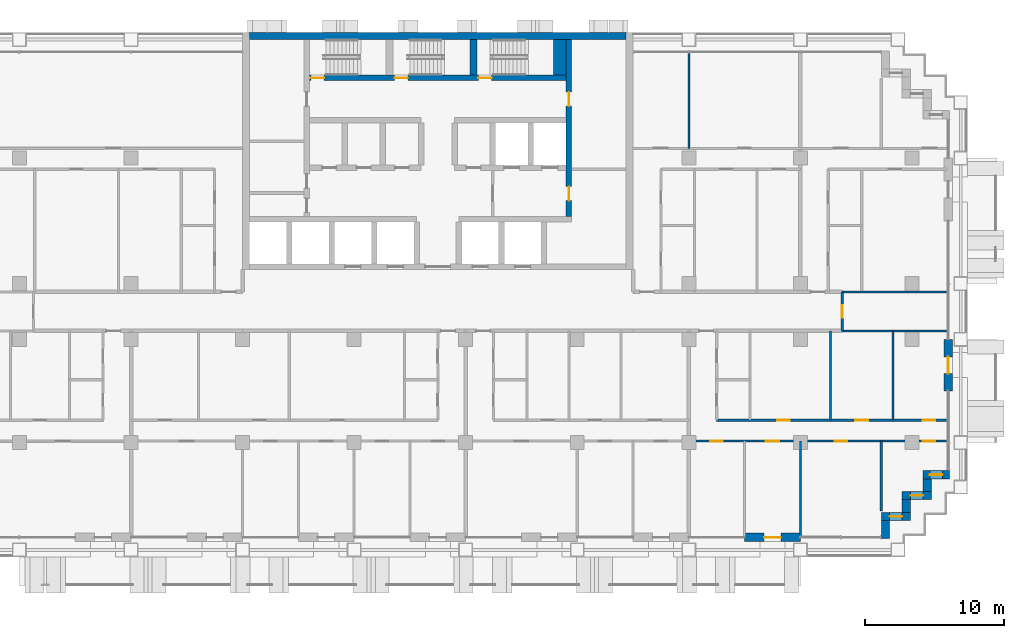
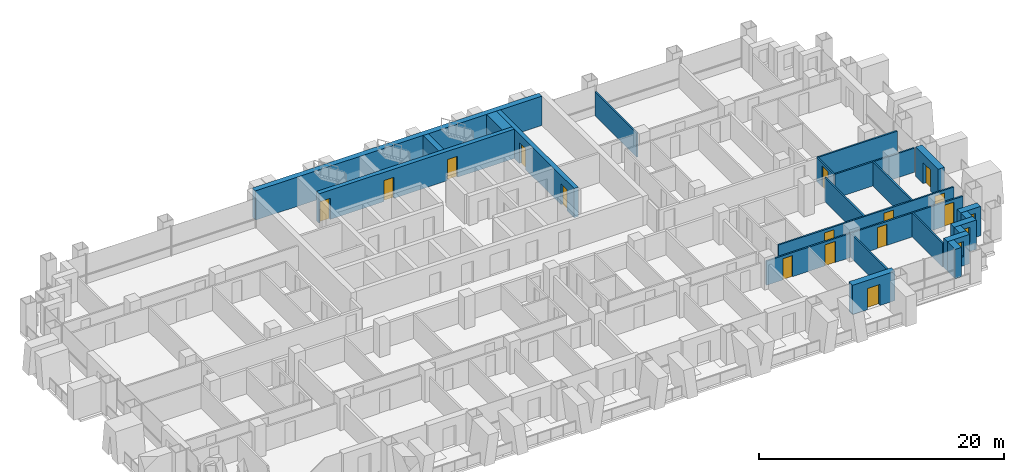
# One storey, part 13 of 18: 23 walls, 15 doors, 3 windows, 18 openings.
"""IFC4 building model written with IfcOpenShell, lengths in metres."""

from ifc_helpers import new_model, si_unit, direction, frame, frame_2d, origin, place, context, subcontext, project, spatial, rectangle, extrude, material, layer, layer_set, type_object, element, fill, save


model = new_model("IFC4")

# Units and contexts
model_context = context("Model", 3, precision=1e-05, world=origin(), true_north=direction((0.0, 1.0)))
body_context = subcontext(model_context, "Body", "Model", "MODEL_VIEW")
ifc_project = project(units=[si_unit("LENGTHUNIT", "METRE"), si_unit("AREAUNIT", "SQUARE_METRE"), si_unit("VOLUMEUNIT", "CUBIC_METRE"), si_unit("PLANEANGLEUNIT", "RADIAN"), si_unit("MASSUNIT", "GRAM", prefix="KILO")], contexts=[model_context])

# Site, building, storey
site_placement = place(None, origin())
site = spatial("IfcSite", under=ifc_project, at=site_placement, CompositionType="ELEMENT")
building_placement = place(site_placement, origin())
building = spatial("IfcBuilding", under=site, at=building_placement, Name="Vidyagriha Tower", CompositionType="ELEMENT")
storey_placement = place(building_placement, frame((0.0, 0.0, 44.800048828125)))
storey = spatial("IfcBuildingStorey", under=building, at=storey_placement, Name="L11", CompositionType="ELEMENT", Elevation=44.800048828125)

# Wall, opening, door
ifc_material_1 = material(Name="Precast concrete C40/50 with brick facing", Category="concrete")
ifc_layer_1 = layer(ifc_material_1, 0.60009765625)
ifc_layer_set_1 = layer_set([ifc_layer_1], Name="Precast concrete C40/50 with brick facing")
wall_type_1 = type_object("IfcWallType", Name="Brick-faced precast wall 600", PredefinedType="STANDARD", material=ifc_layer_set_1)
wall_1_placement = place(storey_placement, frame((22.0, -16.199951171875, 0.0)))
wall_1 = element("IfcWall", 1, at=wall_1_placement, inside=storey, type_object=wall_type_1, Name="Brick door bay wall L11 R23.15", PredefinedType="STANDARD", context=body_context, shape_type="SweptSolid", body=[
    extrude(rectangle(XDim=4.0, YDim=0.60009765625, at=frame_2d((2.0, 0.0))), origin(), (0.0, 0.0, 1.0), 2.919921875),
])
opening_1_placement = place(wall_1_placement, frame((1.39990234375, 0.0, 0.0)))
opening_1 = element("IfcOpeningElement", 2, at=opening_1_placement, cuts=wall_1, Name="Opening D11-83", PredefinedType="OPENING", context=body_context, shape_type="SweptSolid", body=[
    extrude(rectangle(XDim=1.199951171875, YDim=2.10009765625, at=frame_2d((0.60009765625, 1.050048828125))), frame((0.0, 0.31005859375, 0.0), z_axis=(0.0, -1.0, 0.0), x_axis=(1.0, 0.0, 0.0)), (0.0, 0.0, 1.0), 0.6201171875),
])
ifc_material_2 = material(Name="Aluminium framed glazed sliding door", Category="aluminium")
door_type_1 = type_object("IfcDoorType", Name="Balcony sliding door 1200x2100", OperationType="NOTDEFINED", PredefinedType="DOOR", material=ifc_material_2)
door_1_placement = place(opening_1_placement, origin())
door_1 = element("IfcDoor", 3, at=door_1_placement, inside=storey, type_object=door_type_1, Name="Door D11-83", OperationType="SLIDING_TO_LEFT", OverallHeight=2.10009765625, OverallWidth=1.199951171875, PredefinedType="DOOR", context=body_context, shape_type="SweptSolid", body=[
    extrude(rectangle(XDim=1.199951171875, YDim=2.10009765625, at=frame_2d((0.60009765625, 1.050048828125))), frame((0.0, 0.02490234375, 0.0), z_axis=(0.0, -1.0, 0.0), x_axis=(1.0, 0.0, 0.0)), (0.0, 0.0, 1.0), 0.050048828125),
])
fill(opening_1, door_1)

# Wall
wall_2_placement = place(storey_placement, frame((32.10009765625, -16.280029296875, 0.0), z_axis=(0.0, 0.0, 1.0), x_axis=(0.0, 1.0, 0.0)))
element("IfcWall", 4, at=wall_2_placement, inside=storey, type_object=wall_type_1, Name="Stepped corner wall L11 R24", PredefinedType="STANDARD", context=body_context, shape_type="SweptSolid", body=[
    extrude(rectangle(XDim=1.280029296875, YDim=0.60009765625, at=frame_2d((0.64013671875, 0.0))), origin(), (0.0, 0.0, 1.0), 2.919921875),
])

# Wall, opening, window
wall_3_placement = place(storey_placement, frame((31.800048828125, -14.699951171875, 0.0)))
wall_3 = element("IfcWall", 5, at=wall_3_placement, inside=storey, type_object=wall_type_1, Name="Stepped corner wall L11 R25", PredefinedType="STANDARD", context=body_context, shape_type="SweptSolid", body=[
    extrude(rectangle(XDim=2.099853515625, YDim=0.60009765625, at=frame_2d((1.0498046875, 0.0))), origin(), (0.0, 0.0, 1.0), 2.919921875),
])
opening_2_placement = place(wall_3_placement, frame((0.60009765625, 0.0, 0.89990234375)))
opening_2 = element("IfcOpeningElement", 6, at=opening_2_placement, cuts=wall_3, Name="Opening WN1", PredefinedType="OPENING", context=body_context, shape_type="SweptSolid", body=[
    extrude(rectangle(XDim=0.89990234375, YDim=1.5, at=frame_2d((0.449951171875, 0.75))), frame((0.0, 0.31005859375, 0.0), z_axis=(0.0, -1.0, 0.0), x_axis=(1.0, 0.0, 0.0)), (0.0, 0.0, 1.0), 0.6201171875),
])
ifc_material_3 = material(Name="Aluminium and glass window", Category="aluminium")
window_type = type_object("IfcWindowType", Name="Reveal window 900x1500", PartitioningType="NOTDEFINED", PredefinedType="WINDOW", material=ifc_material_3)
window_1_placement = place(opening_2_placement, origin())
window_1 = element("IfcWindow", 7, at=window_1_placement, inside=storey, type_object=window_type, Name="Reveal window L11 R25", OverallHeight=1.5, OverallWidth=0.89990234375, PartitioningType="SINGLE_PANEL", PredefinedType="WINDOW", context=body_context, shape_type="SweptSolid", body=[
    extrude(rectangle(XDim=0.89990234375, YDim=1.5, at=frame_2d((0.449951171875, 0.75))), frame((0.0, 0.030029296875, 0.0), z_axis=(0.0, -1.0, 0.0), x_axis=(1.0, 0.0, 0.0)), (0.0, 0.0, 1.0), 0.06005859375),
])
fill(opening_2, window_1)

# Wall
wall_4_placement = place(storey_placement, frame((33.60009765625, -14.39990234375, 0.0), z_axis=(0.0, 0.0, 1.0), x_axis=(0.0, 1.0, 0.0)))
element("IfcWall", 8, at=wall_4_placement, inside=storey, type_object=wall_type_1, Name="Stepped corner wall L11 R26", PredefinedType="STANDARD", context=body_context, shape_type="SweptSolid", body=[
    extrude(rectangle(XDim=0.89990234375, YDim=0.60009765625, at=frame_2d((0.449951171875, 0.0))), origin(), (0.0, 0.0, 1.0), 2.919921875),
])

# Wall, opening, window
wall_5_placement = place(storey_placement, frame((33.300048828125, -13.199951171875, 0.0)))
wall_5 = element("IfcWall", 9, at=wall_5_placement, inside=storey, type_object=wall_type_1, Name="Stepped corner wall L11 R27", PredefinedType="STANDARD", context=body_context, shape_type="SweptSolid", body=[
    extrude(rectangle(XDim=2.099853515625, YDim=0.60009765625, at=frame_2d((1.0498046875, 0.0))), origin(), (0.0, 0.0, 1.0), 2.919921875),
])
opening_3_placement = place(wall_5_placement, frame((0.60009765625, 0.0, 0.89990234375)))
opening_3 = element("IfcOpeningElement", 10, at=opening_3_placement, cuts=wall_5, Name="Opening WN1", PredefinedType="OPENING", context=body_context, shape_type="SweptSolid", body=[
    extrude(rectangle(XDim=0.89990234375, YDim=1.5, at=frame_2d((0.449951171875, 0.75))), frame((0.0, 0.31005859375, 0.0), z_axis=(0.0, -1.0, 0.0), x_axis=(1.0, 0.0, 0.0)), (0.0, 0.0, 1.0), 0.6201171875),
])
window_2_placement = place(opening_3_placement, origin())
window_2 = element("IfcWindow", 11, at=window_2_placement, inside=storey, type_object=window_type, Name="Reveal window L11 R27", OverallHeight=1.5, OverallWidth=0.89990234375, PartitioningType="SINGLE_PANEL", PredefinedType="WINDOW", context=body_context, shape_type="SweptSolid", body=[
    extrude(rectangle(XDim=0.89990234375, YDim=1.5, at=frame_2d((0.449951171875, 0.75))), frame((0.0, 0.030029296875, 0.0), z_axis=(0.0, -1.0, 0.0), x_axis=(1.0, 0.0, 0.0)), (0.0, 0.0, 1.0), 0.06005859375),
])
fill(opening_3, window_2)

# Wall
wall_6_placement = place(storey_placement, frame((35.10009765625, -12.89990234375, 0.0), z_axis=(0.0, 0.0, 1.0), x_axis=(0.0, 1.0, 0.0)))
element("IfcWall", 12, at=wall_6_placement, inside=storey, type_object=wall_type_1, Name="Stepped corner wall L11 R28", PredefinedType="STANDARD", context=body_context, shape_type="SweptSolid", body=[
    extrude(rectangle(XDim=0.89990234375, YDim=0.60009765625, at=frame_2d((0.449951171875, 0.0))), origin(), (0.0, 0.0, 1.0), 2.919921875),
])

# Wall, opening, window
wall_7_placement = place(storey_placement, frame((34.800048828125, -11.699951171875, 0.0)))
wall_7 = element("IfcWall", 13, at=wall_7_placement, inside=storey, type_object=wall_type_1, Name="Stepped corner wall L11 R29", PredefinedType="STANDARD", context=body_context, shape_type="SweptSolid", body=[
    extrude(rectangle(XDim=1.8798828125, YDim=0.60009765625, at=frame_2d((0.93994140625, 0.0))), origin(), (0.0, 0.0, 1.0), 2.919921875),
])
opening_4_placement = place(wall_7_placement, frame((0.489990234375, 0.0, 0.89990234375)))
opening_4 = element("IfcOpeningElement", 14, at=opening_4_placement, cuts=wall_7, Name="Opening WN1", PredefinedType="OPENING", context=body_context, shape_type="SweptSolid", body=[
    extrude(rectangle(XDim=0.89990234375, YDim=1.5, at=frame_2d((0.449951171875, 0.75))), frame((0.0, 0.31005859375, 0.0), z_axis=(0.0, -1.0, 0.0), x_axis=(1.0, 0.0, 0.0)), (0.0, 0.0, 1.0), 0.6201171875),
])
window_3_placement = place(opening_4_placement, origin())
window_3 = element("IfcWindow", 15, at=window_3_placement, inside=storey, type_object=window_type, Name="Reveal window L11 R29", OverallHeight=1.5, OverallWidth=0.89990234375, PartitioningType="SINGLE_PANEL", PredefinedType="WINDOW", context=body_context, shape_type="SweptSolid", body=[
    extrude(rectangle(XDim=0.89990234375, YDim=1.5, at=frame_2d((0.449951171875, 0.75))), frame((0.0, 0.030029296875, 0.0), z_axis=(0.0, -1.0, 0.0), x_axis=(1.0, 0.0, 0.0)), (0.0, 0.0, 1.0), 0.06005859375),
])
fill(opening_4, window_3)

# Wall, opening, door
wall_8_placement = place(storey_placement, frame((36.60009765625, -5.699951171875, 0.0), z_axis=(0.0, 0.0, 1.0), x_axis=(0.0, 1.0, 0.0)))
wall_8 = element("IfcWall", 16, at=wall_8_placement, inside=storey, type_object=wall_type_1, Name="Brick door bay wall L11 R30.3", PredefinedType="STANDARD", context=body_context, shape_type="SweptSolid", body=[
    extrude(rectangle(XDim=3.699951171875, YDim=0.60009765625, at=frame_2d((1.85009765625, 0.0))), origin(), (0.0, 0.0, 1.0), 2.919921875),
])
opening_5_placement = place(wall_8_placement, frame((1.25, 0.0, 0.0)))
opening_5 = element("IfcOpeningElement", 17, at=opening_5_placement, cuts=wall_8, Name="Opening D11-84", PredefinedType="OPENING", context=body_context, shape_type="SweptSolid", body=[
    extrude(rectangle(XDim=1.199951171875, YDim=2.10009765625, at=frame_2d((0.60009765625, 1.050048828125))), frame((0.0, 0.31005859375, 0.0), z_axis=(0.0, -1.0, 0.0), x_axis=(1.0, 0.0, 0.0)), (0.0, 0.0, 1.0), 0.6201171875),
])
door_2_placement = place(opening_5_placement, origin())
door_2 = element("IfcDoor", 18, at=door_2_placement, inside=storey, type_object=door_type_1, Name="Door D11-84", OperationType="SLIDING_TO_LEFT", OverallHeight=2.10009765625, OverallWidth=1.199951171875, PredefinedType="DOOR", context=body_context, shape_type="SweptSolid", body=[
    extrude(rectangle(XDim=1.199951171875, YDim=2.10009765625, at=frame_2d((0.60009765625, 1.050048828125))), frame((0.0, 0.02490234375, 0.0), z_axis=(0.0, -1.0, 0.0), x_axis=(1.0, 0.0, 0.0)), (0.0, 0.0, 1.0), 0.050048828125),
])
fill(opening_5, door_2)

# Wall, openings, doors
ifc_material_4 = material(Name="Concrete C60/75", Category="concrete")
ifc_layer_2 = layer(ifc_material_4, 0.39990234375)
ifc_layer_set_2 = layer_set([ifc_layer_2], Name="Concrete C60/75")
wall_type_2 = type_object("IfcWallType", Name="Core shear wall 400 mm", PredefinedType="SHEAR", material=ifc_layer_set_2)
wall_9_placement = place(storey_placement, frame((9.39990234375, 6.800048828125, 0.0), z_axis=(0.0, 0.0, 1.0), x_axis=(0.0, 1.0, 0.0)))
wall_9 = element("IfcWall", 19, at=wall_9_placement, inside=storey, type_object=wall_type_2, Name="Core east spine wall", PredefinedType="SHEAR", context=body_context, shape_type="SweptSolid", body=[
    extrude(rectangle(XDim=12.699951171875, YDim=0.39990234375, at=frame_2d((6.35009765625, 0.0))), origin(), (0.0, 0.0, 1.0), 2.919921875),
])
opening_6_placement = place(wall_9_placement, frame((1.14990234375, 0.0, 0.0)))
opening_6 = element("IfcOpeningElement", 20, at=opening_6_placement, cuts=wall_9, Name="Opening D11-13", PredefinedType="OPENING", context=body_context, shape_type="SweptSolid", body=[
    extrude(rectangle(XDim=1.0, YDim=2.10009765625, at=frame_2d((0.5, 1.050048828125))), frame((0.0, 0.2099609375, 0.0), z_axis=(0.0, -1.0, 0.0), x_axis=(1.0, 0.0, 0.0)), (0.0, 0.0, 1.0), 0.419921875),
])
opening_7_placement = place(wall_9_placement, frame((7.925048828125, 0.0, 0.0)))
opening_7 = element("IfcOpeningElement", 21, at=opening_7_placement, cuts=wall_9, Name="Opening D11-14", PredefinedType="OPENING", context=body_context, shape_type="SweptSolid", body=[
    extrude(rectangle(XDim=1.0, YDim=2.10009765625, at=frame_2d((0.5, 1.050048828125))), frame((0.0, 0.2099609375, 0.0), z_axis=(0.0, -1.0, 0.0), x_axis=(1.0, 0.0, 0.0)), (0.0, 0.0, 1.0), 0.419921875),
])
ifc_material_5 = material(Name="Hollow metal door leaf")
door_type_2 = type_object("IfcDoorType", Name="Core room door 1000 x 2100 mm EI 60", OperationType="NOTDEFINED", PredefinedType="DOOR", material=ifc_material_5)
door_3_placement = place(opening_6_placement, origin())
door_3 = element("IfcDoor", 22, at=door_3_placement, inside=storey, type_object=door_type_2, Name="Door Switchgear Room 11.E1", OperationType="SINGLE_SWING_RIGHT", OverallHeight=2.10009765625, OverallWidth=1.0, PredefinedType="DOOR", context=body_context, shape_type="SweptSolid", body=[
    extrude(rectangle(XDim=1.0, YDim=2.10009765625, at=frame_2d((0.5, 1.050048828125))), frame((0.0, 0.02490234375, 0.0), z_axis=(0.0, -1.0, 0.0), x_axis=(1.0, 0.0, 0.0)), (0.0, 0.0, 1.0), 0.050048828125),
])
fill(opening_6, door_3)
door_4_placement = place(opening_7_placement, origin())
door_4 = element("IfcDoor", 23, at=door_4_placement, inside=storey, type_object=door_type_2, Name="Door Electrical Room 11.E2", OperationType="SINGLE_SWING_LEFT", OverallHeight=2.10009765625, OverallWidth=1.0, PredefinedType="DOOR", context=body_context, shape_type="SweptSolid", body=[
    extrude(rectangle(XDim=1.0, YDim=2.10009765625, at=frame_2d((0.5, 1.050048828125))), frame((0.0, 0.02490234375, 0.0), z_axis=(0.0, -1.0, 0.0), x_axis=(1.0, 0.0, 0.0)), (0.0, 0.0, 1.0), 0.050048828125),
])
fill(opening_7, door_4)

wall_10_placement = place(storey_placement, frame((-9.199951171875, 16.75, 0.0)))
wall_10 = element("IfcWall", 24, at=wall_10_placement, inside=storey, type_object=wall_type_2, Name="Stair front wall", PredefinedType="SHEAR", context=body_context, shape_type="SweptSolid", body=[
    extrude(rectangle(XDim=18.39990234375, YDim=0.39990234375, at=frame_2d((9.199951171875, 0.0))), origin(), (0.0, 0.0, 1.0), 2.919921875),
])
opening_8_placement = place(wall_10_placement, frame((0.10009765625, 0.0, 0.0)))
opening_8 = element("IfcOpeningElement", 25, at=opening_8_placement, cuts=wall_10, Name="Opening D11-07", PredefinedType="OPENING", context=body_context, shape_type="SweptSolid", body=[
    extrude(rectangle(XDim=0.949951171875, YDim=2.10009765625, at=frame_2d((0.47509765625, 1.050048828125))), frame((0.0, 0.2099609375, 0.0), z_axis=(0.0, -1.0, 0.0), x_axis=(1.0, 0.0, 0.0)), (0.0, 0.0, 1.0), 0.419921875),
])
opening_9_placement = place(wall_10_placement, frame((6.10009765625, 0.0, 0.0)))
opening_9 = element("IfcOpeningElement", 26, at=opening_9_placement, cuts=wall_10, Name="Opening D11-08", PredefinedType="OPENING", context=body_context, shape_type="SweptSolid", body=[
    extrude(rectangle(XDim=0.949951171875, YDim=2.10009765625, at=frame_2d((0.47509765625, 1.050048828125))), frame((0.0, 0.2099609375, 0.0), z_axis=(0.0, -1.0, 0.0), x_axis=(1.0, 0.0, 0.0)), (0.0, 0.0, 1.0), 0.419921875),
])
opening_10_placement = place(wall_10_placement, frame((12.10009765625, 0.0, 0.0)))
opening_10 = element("IfcOpeningElement", 27, at=opening_10_placement, cuts=wall_10, Name="Opening D11-09", PredefinedType="OPENING", context=body_context, shape_type="SweptSolid", body=[
    extrude(rectangle(XDim=0.949951171875, YDim=2.10009765625, at=frame_2d((0.47509765625, 1.050048828125))), frame((0.0, 0.2099609375, 0.0), z_axis=(0.0, -1.0, 0.0), x_axis=(1.0, 0.0, 0.0)), (0.0, 0.0, 1.0), 0.419921875),
])
ifc_material_6 = material(Name="Hollow metal door leaf")
door_type_3 = type_object("IfcDoorType", Name="Exit stair door 950 x 2100 mm EI 90", OperationType="NOTDEFINED", PredefinedType="DOOR", material=ifc_material_6)
door_5_placement = place(opening_8_placement, origin())
door_5 = element("IfcDoor", 28, at=door_5_placement, inside=storey, type_object=door_type_3, Name="Stair door ST1 L11", OperationType="SINGLE_SWING_LEFT", OverallHeight=2.10009765625, OverallWidth=0.949951171875, PredefinedType="DOOR", context=body_context, shape_type="SweptSolid", body=[
    extrude(rectangle(XDim=0.949951171875, YDim=2.10009765625, at=frame_2d((0.47509765625, 1.050048828125))), frame((0.0, 0.02490234375, 0.0), z_axis=(0.0, -1.0, 0.0), x_axis=(1.0, 0.0, 0.0)), (0.0, 0.0, 1.0), 0.050048828125),
])
fill(opening_8, door_5)
door_6_placement = place(opening_9_placement, origin())
door_6 = element("IfcDoor", 29, at=door_6_placement, inside=storey, type_object=door_type_3, Name="Stair door ST2 L11", OperationType="SINGLE_SWING_LEFT", OverallHeight=2.10009765625, OverallWidth=0.949951171875, PredefinedType="DOOR", context=body_context, shape_type="SweptSolid", body=[
    extrude(rectangle(XDim=0.949951171875, YDim=2.10009765625, at=frame_2d((0.47509765625, 1.050048828125))), frame((0.0, 0.02490234375, 0.0), z_axis=(0.0, -1.0, 0.0), x_axis=(1.0, 0.0, 0.0)), (0.0, 0.0, 1.0), 0.050048828125),
])
fill(opening_9, door_6)
door_7_placement = place(opening_10_placement, origin())
door_7 = element("IfcDoor", 30, at=door_7_placement, inside=storey, type_object=door_type_3, Name="Stair door ST3 L11", OperationType="SINGLE_SWING_LEFT", OverallHeight=2.10009765625, OverallWidth=0.949951171875, PredefinedType="DOOR", context=body_context, shape_type="SweptSolid", body=[
    extrude(rectangle(XDim=0.949951171875, YDim=2.10009765625, at=frame_2d((0.47509765625, 1.050048828125))), frame((0.0, 0.02490234375, 0.0), z_axis=(0.0, -1.0, 0.0), x_axis=(1.0, 0.0, 0.0)), (0.0, 0.0, 1.0), 0.050048828125),
])
fill(opening_10, door_7)

# Walls
ifc_material_7 = material(Name="Concrete C60/75", Category="concrete")
ifc_layer_3 = layer(ifc_material_7, 0.5)
ifc_layer_set_3 = layer_set([ifc_layer_3], Name="Concrete C60/75")
wall_type_3 = type_object("IfcWallType", Name="Core shear wall 500 mm", PredefinedType="SHEAR", material=ifc_layer_set_3)
wall_11_placement = place(storey_placement, frame((-13.5, 19.75, 0.0)))
element("IfcWall", 31, at=wall_11_placement, inside=storey, type_object=wall_type_3, Name="Core north wall", PredefinedType="SHEAR", context=body_context, shape_type="SweptSolid", body=[
    extrude(rectangle(XDim=27.0, YDim=0.5, at=frame_2d((13.5, 0.0))), origin(), (0.0, 0.0, 1.0), 2.919921875),
])
wall_12_placement = place(storey_placement, frame((2.550048828125, 16.949951171875, 0.0), z_axis=(0.0, 0.0, 1.0), x_axis=(0.0, 1.0, 0.0)))
element("IfcWall", 32, at=wall_12_placement, inside=storey, type_object=wall_type_3, Name="Stair partition wall 2", PredefinedType="SHEAR", context=body_context, shape_type="SweptSolid", body=[
    extrude(rectangle(XDim=2.550048828125, YDim=0.5, at=frame_2d((1.27490234375, 0.0))), origin(), (0.0, 0.0, 1.0), 2.919921875),
])
ifc_material_8 = material(Name="Concrete C60/75", Category="concrete")
ifc_layer_4 = layer(ifc_material_8, 0.89990234375)
ifc_layer_set_4 = layer_set([ifc_layer_4], Name="Concrete C60/75")
wall_type_4 = type_object("IfcWallType", Name="Core shear wall 900 mm", PredefinedType="SHEAR", material=ifc_layer_set_4)
wall_13_placement = place(storey_placement, frame((8.75, 16.949951171875, 0.0), z_axis=(0.0, 0.0, 1.0), x_axis=(0.0, 1.0, 0.0)))
element("IfcWall", 33, at=wall_13_placement, inside=storey, type_object=wall_type_4, Name="Stair end wall", PredefinedType="SHEAR", context=body_context, shape_type="SweptSolid", body=[
    extrude(rectangle(XDim=2.550048828125, YDim=0.89990234375, at=frame_2d((1.27490234375, 0.0))), origin(), (0.0, 0.0, 1.0), 2.919921875),
])
ifc_material_9 = material(Name="Gypsum board partition")
ifc_layer_5 = layer(ifc_material_9, 0.14990234375)
ifc_layer_set_5 = layer_set([ifc_layer_5], Name="Gypsum board partition")
wall_type_5 = type_object("IfcWallType", Name="Gypsum board partition 150", PredefinedType="PARTITIONING", material=ifc_layer_set_5)
for number, where, z_axis, x_axis, name in (
    (34, (28.14990234375, -1.39990234375, 0.0), (0.0, 0.0, 1.0), (0.0, -1.0, 0.0), "Wall all-L11-w062"),
    (35, (32.64990234375, -1.39990234375, 0.0), (0.0, 0.0, 1.0), (0.0, -1.0, 0.0), "Wall all-L11-w063"),
):
    element("IfcWall", number, at=place(storey_placement, frame(where, z_axis=z_axis, x_axis=x_axis)), inside=storey, type_object=wall_type_5, Name=name, PredefinedType="PARTITIONING", context=body_context, shape_type="SweptSolid", body=[
        extrude(rectangle(XDim=6.400146484375, YDim=0.14990234375, at=frame_2d((3.2001953125, 0.0))), origin(), (0.0, 0.0, 1.0), 2.39990234375),
    ])

# Wall, openings, doors
wall_14_placement = place(storey_placement, frame((20.0, -7.800048828125, 0.0)))
wall_14 = element("IfcWall", 36, at=wall_14_placement, inside=storey, type_object=wall_type_5, Name="Wall all-L11-w064", PredefinedType="PARTITIONING", context=body_context, shape_type="SweptSolid", body=[
    extrude(rectangle(XDim=16.52001953125, YDim=0.14990234375, at=frame_2d((8.260009765625, 0.0))), origin(), (0.0, 0.0, 1.0), 2.39990234375),
])
opening_11_placement = place(wall_14_placement, frame((4.340087890625, 0.0, 0.0)))
opening_11 = element("IfcOpeningElement", 37, at=opening_11_placement, cuts=wall_14, Name="Opening D11-44", PredefinedType="OPENING", context=body_context, shape_type="SweptSolid", body=[
    extrude(rectangle(XDim=0.89990234375, YDim=2.10009765625, at=frame_2d((0.449951171875, 1.050048828125))), frame((0.0, 0.0849609375, 0.0), z_axis=(0.0, -1.0, 0.0), x_axis=(1.0, 0.0, 0.0)), (0.0, 0.0, 1.0), 0.169921875),
])
opening_12_placement = place(wall_14_placement, frame((9.949951171875, 0.0, 0.0)))
opening_12 = element("IfcOpeningElement", 38, at=opening_12_placement, cuts=wall_14, Name="Opening D11-45", PredefinedType="OPENING", context=body_context, shape_type="SweptSolid", body=[
    extrude(rectangle(XDim=0.89990234375, YDim=2.10009765625, at=frame_2d((0.449951171875, 1.050048828125))), frame((0.0, 0.0849609375, 0.0), z_axis=(0.0, -1.0, 0.0), x_axis=(1.0, 0.0, 0.0)), (0.0, 0.0, 1.0), 0.169921875),
])
opening_13_placement = place(wall_14_placement, frame((14.760009765625, 0.0, 0.0)))
opening_13 = element("IfcOpeningElement", 39, at=opening_13_placement, cuts=wall_14, Name="Opening D11-46", PredefinedType="OPENING", context=body_context, shape_type="SweptSolid", body=[
    extrude(rectangle(XDim=0.89990234375, YDim=2.10009765625, at=frame_2d((0.449951171875, 1.050048828125))), frame((0.0, 0.0849609375, 0.0), z_axis=(0.0, -1.0, 0.0), x_axis=(1.0, 0.0, 0.0)), (0.0, 0.0, 1.0), 0.169921875),
])
ifc_material_10 = material(Name="Timber door leaf", Category="wood")
door_type_4 = type_object("IfcDoorType", Name="Room door 900x2100", OperationType="NOTDEFINED", PredefinedType="DOOR", material=ifc_material_10)
door_8_placement = place(opening_11_placement, origin())
door_8 = element("IfcDoor", 40, at=door_8_placement, inside=storey, type_object=door_type_4, Name="Door D11-44", OperationType="SINGLE_SWING_LEFT", OverallHeight=2.10009765625, OverallWidth=0.89990234375, PredefinedType="DOOR", context=body_context, shape_type="SweptSolid", body=[
    extrude(rectangle(XDim=0.89990234375, YDim=2.10009765625, at=frame_2d((0.449951171875, 1.050048828125))), frame((0.0, 0.02490234375, 0.0), z_axis=(0.0, -1.0, 0.0), x_axis=(1.0, 0.0, 0.0)), (0.0, 0.0, 1.0), 0.050048828125),
])
fill(opening_11, door_8)
door_9_placement = place(opening_12_placement, origin())
door_9 = element("IfcDoor", 41, at=door_9_placement, inside=storey, type_object=door_type_4, Name="Door D11-45", OperationType="SINGLE_SWING_RIGHT", OverallHeight=2.10009765625, OverallWidth=0.89990234375, PredefinedType="DOOR", context=body_context, shape_type="SweptSolid", body=[
    extrude(rectangle(XDim=0.89990234375, YDim=2.10009765625, at=frame_2d((0.449951171875, 1.050048828125))), frame((0.0, 0.02490234375, 0.0), z_axis=(0.0, -1.0, 0.0), x_axis=(1.0, 0.0, 0.0)), (0.0, 0.0, 1.0), 0.050048828125),
])
fill(opening_12, door_9)
door_10_placement = place(opening_13_placement, origin())
door_10 = element("IfcDoor", 42, at=door_10_placement, inside=storey, type_object=door_type_4, Name="Door D11-46", OperationType="SINGLE_SWING_RIGHT", OverallHeight=2.10009765625, OverallWidth=0.89990234375, PredefinedType="DOOR", context=body_context, shape_type="SweptSolid", body=[
    extrude(rectangle(XDim=0.89990234375, YDim=2.10009765625, at=frame_2d((0.449951171875, 1.050048828125))), frame((0.0, 0.02490234375, 0.0), z_axis=(0.0, -1.0, 0.0), x_axis=(1.0, 0.0, 0.0)), (0.0, 0.0, 1.0), 0.050048828125),
])
fill(opening_13, door_10)

wall_15_placement = place(storey_placement, frame((36.52001953125, -9.300048828125, 0.0), z_axis=(0.0, 0.0, 1.0), x_axis=(-1.0, 0.0, 0.0)))
wall_15 = element("IfcWall", 43, at=wall_15_placement, inside=storey, type_object=wall_type_5, Name="Wall all-L11-w068", PredefinedType="PARTITIONING", context=body_context, shape_type="SweptSolid", body=[
    extrude(rectangle(XDim=18.52001953125, YDim=0.14990234375, at=frame_2d((9.260009765625, 0.0))), origin(), (0.0, 0.0, 1.0), 2.39990234375),
])
opening_14_placement = place(wall_15_placement, frame((16.070068359375, 0.0, 0.0)))
opening_14 = element("IfcOpeningElement", 44, at=opening_14_placement, cuts=wall_15, Name="Opening D11-47", PredefinedType="OPENING", context=body_context, shape_type="SweptSolid", body=[
    extrude(rectangle(XDim=0.89990234375, YDim=2.10009765625, at=frame_2d((0.449951171875, 1.050048828125))), frame((0.0, 0.0849609375, 0.0), z_axis=(0.0, -1.0, 0.0), x_axis=(1.0, 0.0, 0.0)), (0.0, 0.0, 1.0), 0.169921875),
])
opening_15_placement = place(wall_15_placement, frame((12.02001953125, 0.0, 0.0)))
opening_15 = element("IfcOpeningElement", 45, at=opening_15_placement, cuts=wall_15, Name="Opening D11-48", PredefinedType="OPENING", context=body_context, shape_type="SweptSolid", body=[
    extrude(rectangle(XDim=1.0, YDim=2.10009765625, at=frame_2d((0.5, 1.050048828125))), frame((0.0, 0.0849609375, 0.0), z_axis=(0.0, -1.0, 0.0), x_axis=(1.0, 0.0, 0.0)), (0.0, 0.0, 1.0), 0.169921875),
])
opening_16_placement = place(wall_15_placement, frame((7.169921875, 0.0, 0.0)))
opening_16 = element("IfcOpeningElement", 46, at=opening_16_placement, cuts=wall_15, Name="Opening D11-49", PredefinedType="OPENING", context=body_context, shape_type="SweptSolid", body=[
    extrude(rectangle(XDim=0.89990234375, YDim=2.10009765625, at=frame_2d((0.449951171875, 1.050048828125))), frame((0.0, 0.0849609375, 0.0), z_axis=(0.0, -1.0, 0.0), x_axis=(1.0, 0.0, 0.0)), (0.0, 0.0, 1.0), 0.169921875),
])
opening_17_placement = place(wall_15_placement, frame((0.860107421875, 0.0, 0.0)))
opening_17 = element("IfcOpeningElement", 47, at=opening_17_placement, cuts=wall_15, Name="Opening D11-50", PredefinedType="OPENING", context=body_context, shape_type="SweptSolid", body=[
    extrude(rectangle(XDim=0.89990234375, YDim=2.10009765625, at=frame_2d((0.449951171875, 1.050048828125))), frame((0.0, 0.0849609375, 0.0), z_axis=(0.0, -1.0, 0.0), x_axis=(1.0, 0.0, 0.0)), (0.0, 0.0, 1.0), 0.169921875),
])
ifc_material_11 = material(Name="Timber door leaf", Category="wood")
door_type_5 = type_object("IfcDoorType", Name="Room door 1000x2100", OperationType="NOTDEFINED", PredefinedType="DOOR", material=ifc_material_11)
door_11_placement = place(opening_15_placement, origin())
door_11 = element("IfcDoor", 48, at=door_11_placement, inside=storey, type_object=door_type_5, Name="Door D11-48", OperationType="SINGLE_SWING_RIGHT", OverallHeight=2.10009765625, OverallWidth=1.0, PredefinedType="DOOR", context=body_context, shape_type="SweptSolid", body=[
    extrude(rectangle(XDim=1.0, YDim=2.10009765625, at=frame_2d((0.5, 1.050048828125))), frame((0.0, 0.02490234375, 0.0), z_axis=(0.0, -1.0, 0.0), x_axis=(1.0, 0.0, 0.0)), (0.0, 0.0, 1.0), 0.050048828125),
])
fill(opening_15, door_11)
door_12_placement = place(opening_14_placement, origin())
door_12 = element("IfcDoor", 49, at=door_12_placement, inside=storey, type_object=door_type_4, Name="Door D11-47", OperationType="SINGLE_SWING_RIGHT", OverallHeight=2.10009765625, OverallWidth=0.89990234375, PredefinedType="DOOR", context=body_context, shape_type="SweptSolid", body=[
    extrude(rectangle(XDim=0.89990234375, YDim=2.10009765625, at=frame_2d((0.449951171875, 1.050048828125))), frame((0.0, 0.02490234375, 0.0), z_axis=(0.0, -1.0, 0.0), x_axis=(1.0, 0.0, 0.0)), (0.0, 0.0, 1.0), 0.050048828125),
])
fill(opening_14, door_12)
door_13_placement = place(opening_16_placement, origin())
door_13 = element("IfcDoor", 50, at=door_13_placement, inside=storey, type_object=door_type_4, Name="Door D11-49", OperationType="SINGLE_SWING_RIGHT", OverallHeight=2.10009765625, OverallWidth=0.89990234375, PredefinedType="DOOR", context=body_context, shape_type="SweptSolid", body=[
    extrude(rectangle(XDim=0.89990234375, YDim=2.10009765625, at=frame_2d((0.449951171875, 1.050048828125))), frame((0.0, 0.02490234375, 0.0), z_axis=(0.0, -1.0, 0.0), x_axis=(1.0, 0.0, 0.0)), (0.0, 0.0, 1.0), 0.050048828125),
])
fill(opening_16, door_13)
door_14_placement = place(opening_17_placement, origin())
door_14 = element("IfcDoor", 51, at=door_14_placement, inside=storey, type_object=door_type_4, Name="Door D11-50", OperationType="SINGLE_SWING_LEFT", OverallHeight=2.10009765625, OverallWidth=0.89990234375, PredefinedType="DOOR", context=body_context, shape_type="SweptSolid", body=[
    extrude(rectangle(XDim=0.89990234375, YDim=2.10009765625, at=frame_2d((0.449951171875, 1.050048828125))), frame((0.0, 0.02490234375, 0.0), z_axis=(0.0, -1.0, 0.0), x_axis=(1.0, 0.0, 0.0)), (0.0, 0.0, 1.0), 0.050048828125),
])
fill(opening_17, door_14)

# Walls
wall_16_placement = place(storey_placement, frame((26.0, -9.300048828125, 0.0), z_axis=(0.0, 0.0, 1.0), x_axis=(0.0, -1.0, 0.0)))
element("IfcWall", 52, at=wall_16_placement, inside=storey, type_object=wall_type_5, Name="Wall all-L11-w074", PredefinedType="PARTITIONING", context=body_context, shape_type="SweptSolid", body=[
    extrude(rectangle(XDim=6.81005859375, YDim=0.14990234375, at=frame_2d((3.405029296875, 0.0))), origin(), (0.0, 0.0, 1.0), 2.39990234375),
])
wall_17_placement = place(storey_placement, frame((31.800048828125, -9.300048828125, 0.0), z_axis=(0.0, 0.0, 1.0), x_axis=(0.0, -1.0, 0.0)))
element("IfcWall", 53, at=wall_17_placement, inside=storey, type_object=wall_type_5, Name="Wall all-L11-w075", PredefinedType="PARTITIONING", context=body_context, shape_type="SweptSolid", body=[
    extrude(rectangle(XDim=5.02001953125, YDim=0.14990234375, at=frame_2d((2.510009765625, 0.0))), origin(), (0.0, 0.0, 1.0), 2.39990234375),
])
wall_18_placement = place(storey_placement, frame((36.52001953125, -1.39990234375, 0.0), z_axis=(0.0, 0.0, 1.0), x_axis=(-1.0, 0.0, 0.0)))
element("IfcWall", 54, at=wall_18_placement, inside=storey, type_object=wall_type_5, Name="Wall all-L11-w081", PredefinedType="PARTITIONING", context=body_context, shape_type="SweptSolid", body=[
    extrude(rectangle(XDim=7.52001953125, YDim=0.14990234375, at=frame_2d((3.760009765625, 0.0))), origin(), (0.0, 0.0, 1.0), 2.39990234375),
])
wall_19_placement = place(storey_placement, frame((18.0, 18.52099609375, 0.0), z_axis=(0.0, 0.0, 1.0), x_axis=(0.0, -1.0, 0.0)))
element("IfcWall", 55, at=wall_19_placement, inside=storey, type_object=wall_type_5, Name="Wall all-L11-w112", PredefinedType="PARTITIONING", context=body_context, shape_type="SweptSolid", body=[
    extrude(rectangle(XDim=6.821044921875, YDim=0.14990234375, at=frame_2d((3.41064453125, 0.0))), origin(), (0.0, 0.0, 1.0), 2.39990234375),
])
wall_20_placement = place(storey_placement, frame((29.0, 1.39990234375, 0.0)))
element("IfcWall", 56, at=wall_20_placement, inside=storey, type_object=wall_type_5, Name="Wall all-L11-w128", PredefinedType="PARTITIONING", context=body_context, shape_type="SweptSolid", body=[
    extrude(rectangle(XDim=7.52001953125, YDim=0.14990234375, at=frame_2d((3.760009765625, 0.0))), origin(), (0.0, 0.0, 1.0), 2.39990234375),
])

# Wall, opening, door
wall_21_placement = place(storey_placement, frame((29.0, -1.39990234375, 0.0), z_axis=(0.0, 0.0, 1.0), x_axis=(0.0, 1.0, 0.0)))
wall_21 = element("IfcWall", 57, at=wall_21_placement, inside=storey, type_object=wall_type_5, Name="Wall all-L11-w131", PredefinedType="PARTITIONING", context=body_context, shape_type="SweptSolid", body=[
    extrude(rectangle(XDim=2.7998046875, YDim=0.14990234375, at=frame_2d((1.39990234375, 0.0))), origin(), (0.0, 0.0, 1.0), 2.39990234375),
])
opening_18_placement = place(wall_21_placement, frame((0.949951171875, 0.0, 0.0)))
opening_18 = element("IfcOpeningElement", 58, at=opening_18_placement, cuts=wall_21, Name="Opening D11-74", PredefinedType="OPENING", context=body_context, shape_type="SweptSolid", body=[
    extrude(rectangle(XDim=0.89990234375, YDim=2.10009765625, at=frame_2d((0.449951171875, 1.050048828125))), frame((0.0, 0.0849609375, 0.0), z_axis=(0.0, -1.0, 0.0), x_axis=(1.0, 0.0, 0.0)), (0.0, 0.0, 1.0), 0.169921875),
])
door_15_placement = place(opening_18_placement, origin())
door_15 = element("IfcDoor", 59, at=door_15_placement, inside=storey, type_object=door_type_4, Name="Door D11-74", OperationType="SINGLE_SWING_RIGHT", OverallHeight=2.10009765625, OverallWidth=0.89990234375, PredefinedType="DOOR", context=body_context, shape_type="SweptSolid", body=[
    extrude(rectangle(XDim=0.89990234375, YDim=2.10009765625, at=frame_2d((0.449951171875, 1.050048828125))), frame((0.0, 0.02490234375, 0.0), z_axis=(0.0, -1.0, 0.0), x_axis=(1.0, 0.0, 0.0)), (0.0, 0.0, 1.0), 0.050048828125),
])
fill(opening_18, door_15)

save(model, "model.ifc")
